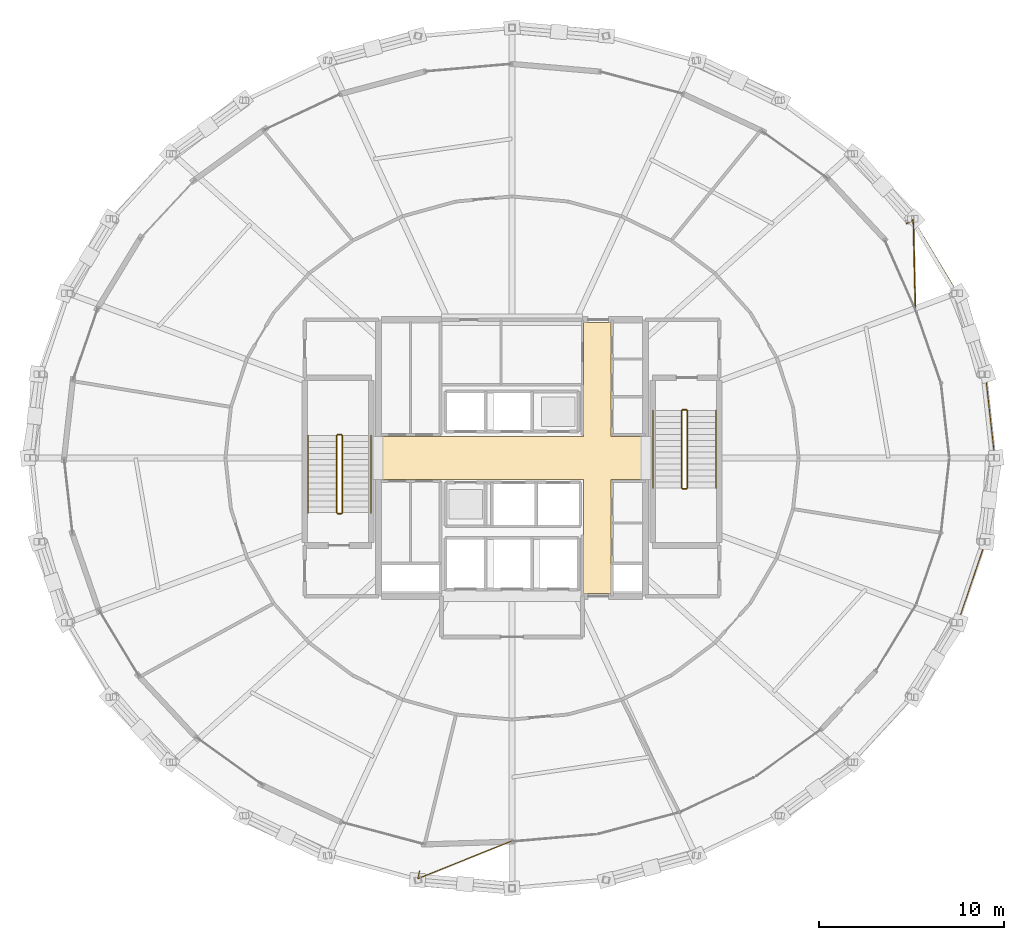
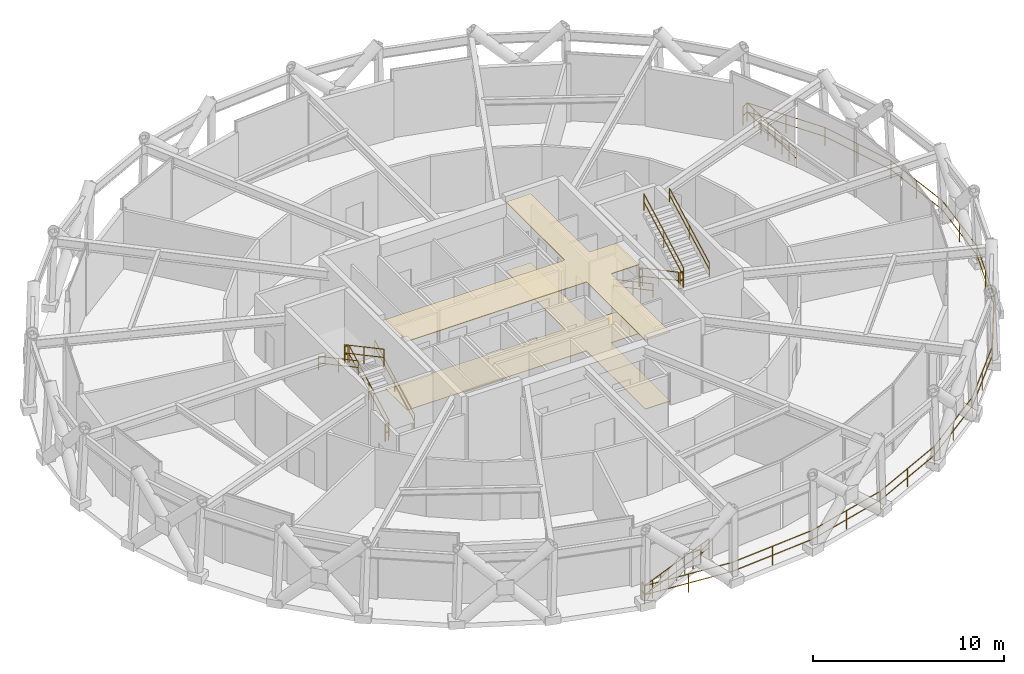
# One storey, part 28 of 29: 15 railings, 2 coverings.
"""IFC4 building model written with IfcOpenShell, lengths in metres."""

from ifc_helpers import new_model, si_unit, direction, frame, origin, origin_2d, place, context, subcontext, project, spatial, polyline, circle, outline, extrude, material, layer, layer_set, type_object, element, save


model = new_model("IFC4")

# Units and contexts
model_context = context("Model", 3, precision=1e-05, world=origin(), true_north=direction((0.0, 1.0)))
body_context = subcontext(model_context, "Body", "Model", "MODEL_VIEW")
ifc_project = project(units=[si_unit("LENGTHUNIT", "METRE"), si_unit("AREAUNIT", "SQUARE_METRE"), si_unit("VOLUMEUNIT", "CUBIC_METRE"), si_unit("PLANEANGLEUNIT", "RADIAN"), si_unit("MASSUNIT", "GRAM", prefix="KILO")], contexts=[model_context])

# Site, building, storey
site_placement = place(None, origin())
site = spatial("IfcSite", under=ifc_project, at=site_placement, CompositionType="ELEMENT")
building_placement = place(site_placement, origin())
building = spatial("IfcBuilding", under=site, at=building_placement, Name="Veldorina Hangang Commons", CompositionType="ELEMENT")
storey_placement = place(building_placement, frame((0.0, 0.0, 203.60009765625)))
storey = spatial("IfcBuildingStorey", under=building, at=storey_placement, Name="L53", CompositionType="ELEMENT", Elevation=203.60009765625)

# Coverings
ifc_material_1 = material(Name="Mineral Fibre Acoustic Tile", Category="gypsum")
ifc_layer_1 = layer(ifc_material_1, 0.0400390625)
ifc_layer_set_1 = layer_set([ifc_layer_1], Name="Mineral Fibre Acoustic Tile")
covering_type_1 = type_object("IfcCoveringType", Name="COV-CEIL-AC60", PredefinedType="CEILING", material=ifc_layer_set_1)
covering_1_placement = place(storey_placement, frame((0.0, 0.0, 4.39990234375)))
element("IfcCovering", 1, at=covering_1_placement, inside=storey, type_object=covering_type_1, Name="L53 lobby suspended acoustic ceiling", PredefinedType="CEILING", context=body_context, shape_type="SweptSolid", body=[
    extrude(outline(polyline([(25.0, 22.85009765625), (35.85009765625, 22.85009765625), (35.85009765625, 16.699951171875), (37.35009765625, 16.699951171875), (37.35009765625, 22.85009765625), (39.0, 22.85009765625), (39.0, 25.14990234375), (37.35009765625, 25.14990234375), (37.35009765625, 31.300048828125), (35.85009765625, 31.300048828125), (35.85009765625, 25.14990234375), (25.0, 25.14990234375), (25.0, 22.85009765625)])), origin(), (0.0, 0.0, 1.0), 0.0400390625),
])
ifc_material_2 = material(Name="Stone Venetian Terrazzo", Category="masonry")
ifc_layer_2 = layer(ifc_material_2, 0.030029296875)
ifc_layer_set_2 = layer_set([ifc_layer_2], Name="Stone Venetian Terrazzo")
covering_type_2 = type_object("IfcCoveringType", Name="COV-FLR-TERZ", PredefinedType="FLOORING", material=ifc_layer_set_2)
covering_2_placement = place(storey_placement, origin())
element("IfcCovering", 2, at=covering_2_placement, inside=storey, type_object=covering_type_2, Name="L53 lobby terrazzo floor finish", PredefinedType="FLOORING", context=body_context, shape_type="SweptSolid", body=[
    extrude(outline(polyline([(25.0, 22.85009765625), (35.85009765625, 22.85009765625), (35.85009765625, 16.699951171875), (37.35009765625, 16.699951171875), (37.35009765625, 22.85009765625), (39.0, 22.85009765625), (39.0, 25.14990234375), (37.35009765625, 25.14990234375), (37.35009765625, 31.300048828125), (35.85009765625, 31.300048828125), (35.85009765625, 25.14990234375), (25.0, 25.14990234375), (25.0, 22.85009765625)])), origin(), (0.0, 0.0, 1.0), 0.02978515625),
])

# Railings
ifc_material_3 = material(Name="Glass Laminated Safety Balustrade", Category="glass")
railing_type_1 = type_object("IfcRailingType", Name="RL-BAL-LOGGIA", PredefinedType="BALUSTRADE", material=ifc_material_3)
railing_1_placement = place(storey_placement, frame((27.01611328125, 1.730712890625, 0.0)))
element("IfcRailing", 3, at=railing_1_placement, inside=storey, type_object=railing_type_1, Name="L53 sky-garden loggia end balustrade A", PredefinedType="BALUSTRADE", context=body_context, shape_type="SweptSolid", body=[
    extrude(circle(Radius=0.02392578125, at=origin_2d()), frame((0.0, 0.0, 1.17578125), z_axis=(-0.217976620997, -0.975953991077, 0.0), x_axis=(0.975953991077, -0.217976620997, 0.0)), (0.0, 0.0, 1.0), 0.419921875),
    extrude(circle(Radius=0.02392578125, at=origin_2d()), frame((0.0, 0.0, 0.60009765625), z_axis=(-0.217976620997, -0.975953991077, 0.0), x_axis=(0.975953991077, -0.217976620997, 0.0)), (0.0, 0.0, 1.0), 0.419921875),
    extrude(circle(Radius=0.02392578125, at=origin_2d()), frame((-0.091552734375, -0.409912109375, 1.17578125), z_axis=(0.92810059205, 0.372329546284, 0.0), x_axis=(-0.372329546284, 0.92810059205, 0.0)), (0.0, 0.0, 1.0), 5.46875),
    extrude(circle(Radius=0.02392578125, at=origin_2d()), frame((-0.091552734375, -0.409912109375, 0.60009765625), z_axis=(0.92810059205, 0.372329546284, 0.0), x_axis=(-0.372329546284, 0.92810059205, 0.0)), (0.0, 0.0, 1.0), 5.46875),
    extrude(circle(Radius=0.02099609375, at=origin_2d()), origin(), (0.0, 0.0, 1.0), 1.15185546875),
    extrude(circle(Radius=0.02099609375, at=origin_2d()), frame((-0.091552734375, -0.409912109375, 0.0)), (0.0, 0.0, 1.0), 1.15185546875),
    extrude(circle(Radius=0.02099609375, at=origin_2d()), frame((0.54296875, -0.1552734375, 0.0)), (0.0, 0.0, 1.0), 1.15185546875),
    extrude(circle(Radius=0.02099609375, at=origin_2d()), frame((1.17724609375, 0.09912109375, 0.0)), (0.0, 0.0, 1.0), 1.15185546875),
    extrude(circle(Radius=0.02099609375, at=origin_2d()), frame((1.811767578125, 0.353515625, 0.0)), (0.0, 0.0, 1.0), 1.15185546875),
    extrude(circle(Radius=0.02099609375, at=origin_2d()), frame((2.4462890625, 0.608154296875, 0.0)), (0.0, 0.0, 1.0), 1.15185546875),
    extrude(circle(Radius=0.02099609375, at=origin_2d()), frame((3.08056640625, 0.86279296875, 0.0)), (0.0, 0.0, 1.0), 1.15185546875),
    extrude(circle(Radius=0.02099609375, at=origin_2d()), frame((3.715087890625, 1.1171875, 0.0)), (0.0, 0.0, 1.0), 1.15185546875),
    extrude(circle(Radius=0.02099609375, at=origin_2d()), frame((4.349365234375, 1.37158203125, 0.0)), (0.0, 0.0, 1.0), 1.15185546875),
    extrude(circle(Radius=0.02099609375, at=origin_2d()), frame((4.98388671875, 1.626220703125, 0.0)), (0.0, 0.0, 1.0), 1.15185546875),
])
railing_2_placement = place(storey_placement, frame((53.276611328125, 36.635498046875, 0.0)))
element("IfcRailing", 4, at=railing_2_placement, inside=storey, type_object=railing_type_1, Name="L53 sky-garden loggia end balustrade B", PredefinedType="BALUSTRADE", context=body_context, shape_type="SweptSolid", body=[
    extrude(circle(Radius=0.02392578125, at=origin_2d()), frame((0.0, 0.0, 1.17578125), z_axis=(0.859639381426, 0.510901295655, 0.0), x_axis=(-0.510901295655, 0.859639381426, 0.0)), (0.0, 0.0, 1.0), 0.419921875),
    extrude(circle(Radius=0.02392578125, at=origin_2d()), frame((0.0, 0.0, 0.60009765625), z_axis=(0.859639381426, 0.510901295655, 0.0), x_axis=(-0.510901295655, 0.859639381426, 0.0)), (0.0, 0.0, 1.0), 0.419921875),
    extrude(circle(Radius=0.02392578125, at=origin_2d()), frame((0.361083984375, 0.214599609375, 1.17578125), z_axis=(0.023328627198, -0.999727850544, 0.0), x_axis=(0.999727850544, 0.023328627198, 0.0)), (0.0, 0.0, 1.0), 4.9501953125),
    extrude(circle(Radius=0.02392578125, at=origin_2d()), frame((0.361083984375, 0.214599609375, 0.60009765625), z_axis=(0.023328627198, -0.999727850544, 0.0), x_axis=(0.999727850544, 0.023328627198, 0.0)), (0.0, 0.0, 1.0), 4.9501953125),
    extrude(circle(Radius=0.02099609375, at=origin_2d()), origin(), (0.0, 0.0, 1.0), 1.15185546875),
    extrude(circle(Radius=0.02099609375, at=origin_2d()), frame((0.361083984375, 0.214599609375, 0.0)), (0.0, 0.0, 1.0), 1.15185546875),
    extrude(circle(Radius=0.02099609375, at=origin_2d()), frame((0.377685546875, -0.492431640625, 0.0)), (0.0, 0.0, 1.0), 1.15185546875),
    extrude(circle(Radius=0.02099609375, at=origin_2d()), frame((0.39404296875, -1.19921875, 0.0)), (0.0, 0.0, 1.0), 1.15185546875),
    extrude(circle(Radius=0.02099609375, at=origin_2d()), frame((0.41064453125, -1.90625, 0.0)), (0.0, 0.0, 1.0), 1.15185546875),
    extrude(circle(Radius=0.02099609375, at=origin_2d()), frame((0.427001953125, -2.61328125, 0.0)), (0.0, 0.0, 1.0), 1.15185546875),
    extrude(circle(Radius=0.02099609375, at=origin_2d()), frame((0.443603515625, -3.3203125, 0.0)), (0.0, 0.0, 1.0), 1.15185546875),
    extrude(circle(Radius=0.02099609375, at=origin_2d()), frame((0.4599609375, -4.027099609375, 0.0)), (0.0, 0.0, 1.0), 1.15185546875),
    extrude(circle(Radius=0.02099609375, at=origin_2d()), frame((0.4765625, -4.734130859375, 0.0)), (0.0, 0.0, 1.0), 1.15185546875),
])
railing_3_placement = place(storey_placement, frame((26.924560546875, 1.32080078125, 0.0)))
element("IfcRailing", 5, at=railing_3_placement, inside=storey, type_object=railing_type_1, Name="L53 sky-garden loggia outer balustrade", PredefinedType="BALUSTRADE", context=body_context, shape_type="SweptSolid", body=[
    extrude(circle(Radius=0.02392578125, at=origin_2d()), frame((0.0, 0.0, 1.17578125), z_axis=(0.996198033411, -0.087117611465, 0.0), x_axis=(0.087117611465, 0.996198033411, 0.0)), (0.0, 0.0, 1.0), 5.0947265625),
    extrude(circle(Radius=0.02392578125, at=origin_2d()), frame((0.0, 0.0, 0.60009765625), z_axis=(0.996198033411, -0.087117611465, 0.0), x_axis=(0.087117611465, 0.996198033411, 0.0)), (0.0, 0.0, 1.0), 5.0947265625),
    extrude(circle(Radius=0.02392578125, at=origin_2d()), frame((5.075439453125, -0.44384765625, 1.17578125), z_axis=(0.996198033411, 0.087117611465, 0.0), x_axis=(-0.087117611465, 0.996198033411, 0.0)), (0.0, 0.0, 1.0), 5.0947265625),
    extrude(circle(Radius=0.02392578125, at=origin_2d()), frame((5.075439453125, -0.44384765625, 0.60009765625), z_axis=(0.996198033411, 0.087117611465, 0.0), x_axis=(-0.087117611465, 0.996198033411, 0.0)), (0.0, 0.0, 1.0), 5.0947265625),
    extrude(circle(Radius=0.02392578125, at=origin_2d()), frame((10.15087890625, 0.0, 1.17578125), z_axis=(0.965576111509, 0.260120689071, 0.0), x_axis=(-0.260120689071, 0.965576111509, 0.0)), (0.0, 0.0, 1.0), 5.05517578125),
    extrude(circle(Radius=0.02392578125, at=origin_2d()), frame((10.15087890625, 0.0, 0.60009765625), z_axis=(0.965576111509, 0.260120689071, 0.0), x_axis=(-0.260120689071, 0.965576111509, 0.0)), (0.0, 0.0, 1.0), 5.05517578125),
    extrude(circle(Radius=0.02392578125, at=origin_2d()), frame((15.031982421875, 1.31494140625, 1.17578125), z_axis=(0.903406177945, 0.428785817922, 0.0), x_axis=(-0.428785817922, 0.903406177945, 0.0)), (0.0, 0.0, 1.0), 4.980224609375),
    extrude(circle(Radius=0.02392578125, at=origin_2d()), frame((15.031982421875, 1.31494140625, 0.60009765625), z_axis=(0.903406177945, 0.428785817922, 0.0), x_axis=(-0.428785817922, 0.903406177945, 0.0)), (0.0, 0.0, 1.0), 4.980224609375),
    extrude(circle(Radius=0.02392578125, at=origin_2d()), frame((19.53125, 3.450439453125, 1.17578125), z_axis=(0.808119142221, 0.589019059094, 0.0), x_axis=(-0.589019059094, 0.808119142221, 0.0)), (0.0, 0.0, 1.0), 4.880615234375),
    extrude(circle(Radius=0.02392578125, at=origin_2d()), frame((19.53125, 3.450439453125, 0.60009765625), z_axis=(0.808119142221, 0.589019059094, 0.0), x_axis=(-0.589019059094, 0.808119142221, 0.0)), (0.0, 0.0, 1.0), 4.880615234375),
    extrude(circle(Radius=0.02392578125, at=origin_2d()), frame((23.475341796875, 6.3251953125, 1.17578125), z_axis=(0.678666836838, 0.734446270721, 0.0), x_axis=(-0.734446270721, 0.678666836838, 0.0)), (0.0, 0.0, 1.0), 4.770751953125),
    extrude(circle(Radius=0.02392578125, at=origin_2d()), frame((23.475341796875, 6.3251953125, 0.60009765625), z_axis=(0.678666836838, 0.734446270721, 0.0), x_axis=(-0.734446270721, 0.678666836838, 0.0)), (0.0, 0.0, 1.0), 4.770751953125),
    extrude(circle(Radius=0.02392578125, at=origin_2d()), frame((26.713134765625, 9.8291015625, 1.17578125), z_axis=(0.515603256689, 0.856827451528, 0.0), x_axis=(-0.856827451528, 0.515603256689, 0.0)), (0.0, 0.0, 1.0), 4.66650390625),
    extrude(circle(Radius=0.02392578125, at=origin_2d()), frame((26.713134765625, 9.8291015625, 0.60009765625), z_axis=(0.515603256689, 0.856827451528, 0.0), x_axis=(-0.856827451528, 0.515603256689, 0.0)), (0.0, 0.0, 1.0), 4.66650390625),
    extrude(circle(Radius=0.02392578125, at=origin_2d()), frame((29.119140625, 13.827392578125, 1.17578125), z_axis=(0.32319967957, 0.946330791598, 0.0), x_axis=(-0.946330791598, 0.32319967957, 0.0)), (0.0, 0.0, 1.0), 4.585205078125),
    extrude(circle(Radius=0.02392578125, at=origin_2d()), frame((29.119140625, 13.827392578125, 0.60009765625), z_axis=(0.32319967957, 0.946330791598, 0.0), x_axis=(-0.946330791598, 0.32319967957, 0.0)), (0.0, 0.0, 1.0), 4.585205078125),
    extrude(circle(Radius=0.02392578125, at=origin_2d()), frame((30.60107421875, 18.16650390625, 1.17578125), z_axis=(0.110230865616, 0.993906009774, 0.0), x_axis=(-0.993906009774, 0.110230865616, 0.0)), (0.0, 0.0, 1.0), 4.540283203125),
    extrude(circle(Radius=0.02392578125, at=origin_2d()), frame((30.60107421875, 18.16650390625, 0.60009765625), z_axis=(0.110230865616, 0.993906009774, 0.0), x_axis=(-0.993906009774, 0.110230865616, 0.0)), (0.0, 0.0, 1.0), 4.540283203125),
    extrude(circle(Radius=0.02392578125, at=origin_2d()), frame((31.1015625, 22.67919921875, 1.17578125), z_axis=(-0.110230865616, 0.993906009774, 0.0), x_axis=(-0.993906009774, -0.110230865616, 0.0)), (0.0, 0.0, 1.0), 4.540283203125),
    extrude(circle(Radius=0.02392578125, at=origin_2d()), frame((31.1015625, 22.67919921875, 0.60009765625), z_axis=(-0.110230865616, 0.993906009774, 0.0), x_axis=(-0.993906009774, -0.110230865616, 0.0)), (0.0, 0.0, 1.0), 4.540283203125),
    extrude(circle(Radius=0.02392578125, at=origin_2d()), frame((30.60107421875, 27.19189453125, 1.17578125), z_axis=(-0.32319967957, 0.946330791598, 0.0), x_axis=(-0.946330791598, -0.32319967957, 0.0)), (0.0, 0.0, 1.0), 4.585205078125),
    extrude(circle(Radius=0.02392578125, at=origin_2d()), frame((30.60107421875, 27.19189453125, 0.60009765625), z_axis=(-0.32319967957, 0.946330791598, 0.0), x_axis=(-0.946330791598, -0.32319967957, 0.0)), (0.0, 0.0, 1.0), 4.585205078125),
    extrude(circle(Radius=0.02392578125, at=origin_2d()), frame((29.119140625, 31.531005859375, 1.17578125), z_axis=(-0.515603256689, 0.856827451528, 0.0), x_axis=(-0.856827451528, -0.515603256689, 0.0)), (0.0, 0.0, 1.0), 4.66650390625),
    extrude(circle(Radius=0.02392578125, at=origin_2d()), frame((29.119140625, 31.531005859375, 0.60009765625), z_axis=(-0.515603256689, 0.856827451528, 0.0), x_axis=(-0.856827451528, -0.515603256689, 0.0)), (0.0, 0.0, 1.0), 4.66650390625),
    extrude(circle(Radius=0.02099609375, at=origin_2d()), origin(), (0.0, 0.0, 1.0), 1.15185546875),
    extrude(circle(Radius=0.02099609375, at=origin_2d()), frame((2.53759765625, -0.221923828125, 0.0)), (0.0, 0.0, 1.0), 1.15185546875),
    extrude(circle(Radius=0.02099609375, at=origin_2d()), frame((5.075439453125, -0.44384765625, 0.0)), (0.0, 0.0, 1.0), 1.15185546875),
    extrude(circle(Radius=0.02099609375, at=origin_2d()), frame((7.61328125, -0.221923828125, 0.0)), (0.0, 0.0, 1.0), 1.15185546875),
    extrude(circle(Radius=0.02099609375, at=origin_2d()), frame((10.15087890625, 0.0, 0.0)), (0.0, 0.0, 1.0), 1.15185546875),
    extrude(circle(Radius=0.02099609375, at=origin_2d()), frame((12.59130859375, 0.657470703125, 0.0)), (0.0, 0.0, 1.0), 1.15185546875),
    extrude(circle(Radius=0.02099609375, at=origin_2d()), frame((15.031982421875, 1.31494140625, 0.0)), (0.0, 0.0, 1.0), 1.15185546875),
    extrude(circle(Radius=0.02099609375, at=origin_2d()), frame((17.28173828125, 2.3828125, 0.0)), (0.0, 0.0, 1.0), 1.15185546875),
    extrude(circle(Radius=0.02099609375, at=origin_2d()), frame((19.53125, 3.450439453125, 0.0)), (0.0, 0.0, 1.0), 1.15185546875),
    extrude(circle(Radius=0.02099609375, at=origin_2d()), frame((21.50341796875, 4.8876953125, 0.0)), (0.0, 0.0, 1.0), 1.15185546875),
    extrude(circle(Radius=0.02099609375, at=origin_2d()), frame((23.475341796875, 6.3251953125, 0.0)), (0.0, 0.0, 1.0), 1.15185546875),
    extrude(circle(Radius=0.02099609375, at=origin_2d()), frame((25.09423828125, 8.0771484375, 0.0)), (0.0, 0.0, 1.0), 1.15185546875),
    extrude(circle(Radius=0.02099609375, at=origin_2d()), frame((26.713134765625, 9.8291015625, 0.0)), (0.0, 0.0, 1.0), 1.15185546875),
    extrude(circle(Radius=0.02099609375, at=origin_2d()), frame((27.916015625, 11.828125, 0.0)), (0.0, 0.0, 1.0), 1.15185546875),
    extrude(circle(Radius=0.02099609375, at=origin_2d()), frame((29.119140625, 13.827392578125, 0.0)), (0.0, 0.0, 1.0), 1.15185546875),
    extrude(circle(Radius=0.02099609375, at=origin_2d()), frame((29.860107421875, 15.9970703125, 0.0)), (0.0, 0.0, 1.0), 1.15185546875),
    extrude(circle(Radius=0.02099609375, at=origin_2d()), frame((30.60107421875, 18.16650390625, 0.0)), (0.0, 0.0, 1.0), 1.15185546875),
    extrude(circle(Radius=0.02099609375, at=origin_2d()), frame((30.851318359375, 20.4228515625, 0.0)), (0.0, 0.0, 1.0), 1.15185546875),
    extrude(circle(Radius=0.02099609375, at=origin_2d()), frame((31.1015625, 22.67919921875, 0.0)), (0.0, 0.0, 1.0), 1.15185546875),
    extrude(circle(Radius=0.02099609375, at=origin_2d()), frame((30.851318359375, 24.935546875, 0.0)), (0.0, 0.0, 1.0), 1.15185546875),
    extrude(circle(Radius=0.02099609375, at=origin_2d()), frame((30.60107421875, 27.19189453125, 0.0)), (0.0, 0.0, 1.0), 1.15185546875),
    extrude(circle(Radius=0.02099609375, at=origin_2d()), frame((29.860107421875, 29.361328125, 0.0)), (0.0, 0.0, 1.0), 1.15185546875),
    extrude(circle(Radius=0.02099609375, at=origin_2d()), frame((29.119140625, 31.531005859375, 0.0)), (0.0, 0.0, 1.0), 1.15185546875),
    extrude(circle(Radius=0.02099609375, at=origin_2d()), frame((27.916015625, 33.5302734375, 0.0)), (0.0, 0.0, 1.0), 1.15185546875),
    extrude(circle(Radius=0.02099609375, at=origin_2d()), frame((26.713134765625, 35.529296875, 0.0)), (0.0, 0.0, 1.0), 1.15185546875),
])
ifc_material_4 = material(Name="Steel Painted Balustrade", Category="steel")
railing_type_2 = type_object("IfcRailingType", Name="RL-GRD-STAIR", PredefinedType="GUARDRAIL", material=ifc_material_4)
railing_4_placement = place(storey_placement, frame((22.85009765625, 21.050048828125, 0.17138671875)))
element("IfcRailing", 6, at=railing_4_placement, inside=storey, type_object=railing_type_2, Name="L53 ST-1 stair guard 1", PredefinedType="GUARDRAIL", context=body_context, shape_type="SweptSolid", body=[
    extrude(circle(Radius=0.02392578125, at=origin_2d()), frame((0.0, 0.0, 1.076171875), z_axis=(0.0, 0.881480739103, 0.472219976908), x_axis=(-1.0, 0.0, 0.0)), (0.0, 0.0, 1.0), 4.71923828125),
    extrude(circle(Radius=0.02392578125, at=origin_2d()), frame((0.0, 0.0, 0.550048828125), z_axis=(0.0, 0.881480739103, 0.472219976908), x_axis=(-1.0, 0.0, 0.0)), (0.0, 0.0, 1.0), 4.71923828125),
    extrude(circle(Radius=0.02099609375, at=origin_2d()), origin(), (0.0, 0.0, 1.0), 1.052001953125),
    extrude(circle(Radius=0.02099609375, at=origin_2d()), frame((0.0, 2.080078125, 1.1142578125)), (0.0, 0.0, 1.0), 1.052001953125),
    extrude(circle(Radius=0.02099609375, at=origin_2d()), frame((0.0, 4.159912109375, 2.228515625)), (0.0, 0.0, 1.0), 1.052001953125),
])
railing_5_placement = place(storey_placement, frame((22.800048828125, 25.260009765625, 2.39990234375)))
element("IfcRailing", 7, at=railing_5_placement, inside=storey, type_object=railing_type_2, Name="L53 ST-1 stair guard 2", PredefinedType="GUARDRAIL", context=body_context, shape_type="SweptSolid", body=[
    extrude(circle(Radius=0.02392578125, at=origin_2d()), frame((0.0, 0.0, 1.076171875), z_axis=(-1.0, 0.0, 0.0), x_axis=(0.0, -1.0, 0.0)), (0.0, 0.0, 1.0), 0.199951171875),
    extrude(circle(Radius=0.02392578125, at=origin_2d()), frame((0.0, 0.0, 0.550048828125), z_axis=(-1.0, 0.0, 0.0), x_axis=(0.0, -1.0, 0.0)), (0.0, 0.0, 1.0), 0.199951171875),
    extrude(circle(Radius=0.02099609375, at=origin_2d()), origin(), (0.0, 0.0, 1.0), 1.052001953125),
    extrude(circle(Radius=0.02099609375, at=origin_2d()), frame((-0.199951171875, 0.0, 0.0)), (0.0, 0.0, 1.0), 1.052001953125),
])
railing_6_placement = place(storey_placement, frame((22.550048828125, 25.2099609375, 2.5712890625)))
element("IfcRailing", 8, at=railing_6_placement, inside=storey, type_object=railing_type_2, Name="L53 ST-1 stair guard 3", PredefinedType="GUARDRAIL", context=body_context, shape_type="SweptSolid", body=[
    extrude(circle(Radius=0.02392578125, at=origin_2d()), frame((0.0, 0.0, 1.076171875), z_axis=(0.0, -0.881480739103, 0.472219976908), x_axis=(1.0, 0.0, 0.0)), (0.0, 0.0, 1.0), 4.71923828125),
    extrude(circle(Radius=0.02392578125, at=origin_2d()), frame((0.0, 0.0, 0.550048828125), z_axis=(0.0, -0.881480739103, 0.472219976908), x_axis=(1.0, 0.0, 0.0)), (0.0, 0.0, 1.0), 4.71923828125),
    extrude(circle(Radius=0.02099609375, at=origin_2d()), origin(), (0.0, 0.0, 1.0), 1.052001953125),
    extrude(circle(Radius=0.02099609375, at=origin_2d()), frame((0.0, -2.080078125, 1.1142578125)), (0.0, 0.0, 1.0), 1.052001953125),
    extrude(circle(Radius=0.02099609375, at=origin_2d()), frame((0.0, -4.159912109375, 2.228515625)), (0.0, 0.0, 1.0), 1.052001953125),
])
railing_7_placement = place(storey_placement, frame((22.800048828125, 21.0, 0.0)))
element("IfcRailing", 9, at=railing_7_placement, inside=storey, type_object=railing_type_2, Name="L53 ST-1 stair guard 4", PredefinedType="GUARDRAIL", context=body_context, shape_type="SweptSolid", body=[
    extrude(circle(Radius=0.02392578125, at=origin_2d()), frame((0.0, 0.0, 1.076171875), z_axis=(-1.0, 0.0, 0.0), x_axis=(0.0, -1.0, 0.0)), (0.0, 0.0, 1.0), 0.199951171875),
    extrude(circle(Radius=0.02392578125, at=origin_2d()), frame((0.0, 0.0, 0.550048828125), z_axis=(-1.0, 0.0, 0.0), x_axis=(0.0, -1.0, 0.0)), (0.0, 0.0, 1.0), 0.199951171875),
    extrude(circle(Radius=0.02099609375, at=origin_2d()), origin(), (0.0, 0.0, 1.0), 1.052001953125),
    extrude(circle(Radius=0.02099609375, at=origin_2d()), frame((-0.199951171875, 0.0, 0.0)), (0.0, 0.0, 1.0), 1.052001953125),
])
railing_8_placement = place(storey_placement, frame((41.14990234375, 26.550048828125, 0.17138671875)))
element("IfcRailing", 10, at=railing_8_placement, inside=storey, type_object=railing_type_2, Name="L53 ST-2 stair guard 1", PredefinedType="GUARDRAIL", context=body_context, shape_type="SweptSolid", body=[
    extrude(circle(Radius=0.02392578125, at=origin_2d()), frame((0.0, 0.0, 1.076171875), z_axis=(0.0, -0.881492274372, 0.472198443689), x_axis=(1.0, 0.0, 0.0)), (0.0, 0.0, 1.0), 4.719482421875),
    extrude(circle(Radius=0.02392578125, at=origin_2d()), frame((0.0, 0.0, 0.550048828125), z_axis=(0.0, -0.881492274372, 0.472198443689), x_axis=(1.0, 0.0, 0.0)), (0.0, 0.0, 1.0), 4.719482421875),
    extrude(circle(Radius=0.02099609375, at=origin_2d()), origin(), (0.0, 0.0, 1.0), 1.052001953125),
    extrude(circle(Radius=0.02099609375, at=origin_2d()), frame((0.0, -2.080078125, 1.1142578125)), (0.0, 0.0, 1.0), 1.052001953125),
    extrude(circle(Radius=0.02099609375, at=origin_2d()), frame((0.0, -4.16015625, 2.228515625)), (0.0, 0.0, 1.0), 1.052001953125),
])
railing_9_placement = place(storey_placement, frame((41.199951171875, 22.340087890625, 2.39990234375)))
element("IfcRailing", 11, at=railing_9_placement, inside=storey, type_object=railing_type_2, Name="L53 ST-2 stair guard 2", PredefinedType="GUARDRAIL", context=body_context, shape_type="SweptSolid", body=[
    extrude(circle(Radius=0.02392578125, at=origin_2d()), frame((0.0, 0.0, 1.076171875), z_axis=(1.0, 0.0, 0.0), x_axis=(0.0, 1.0, 0.0)), (0.0, 0.0, 1.0), 0.199951171875),
    extrude(circle(Radius=0.02392578125, at=origin_2d()), frame((0.0, 0.0, 0.550048828125), z_axis=(1.0, 0.0, 0.0), x_axis=(0.0, 1.0, 0.0)), (0.0, 0.0, 1.0), 0.199951171875),
    extrude(circle(Radius=0.02099609375, at=origin_2d()), origin(), (0.0, 0.0, 1.0), 1.052001953125),
    extrude(circle(Radius=0.02099609375, at=origin_2d()), frame((0.199951171875, 0.0, 0.0)), (0.0, 0.0, 1.0), 1.052001953125),
])
railing_10_placement = place(storey_placement, frame((41.449951171875, 22.389892578125, 2.5712890625)))
element("IfcRailing", 12, at=railing_10_placement, inside=storey, type_object=railing_type_2, Name="L53 ST-2 stair guard 3", PredefinedType="GUARDRAIL", context=body_context, shape_type="SweptSolid", body=[
    extrude(circle(Radius=0.02392578125, at=origin_2d()), frame((0.0, 0.0, 1.076171875), z_axis=(0.0, 0.881492274372, 0.472198443689), x_axis=(-1.0, 0.0, 0.0)), (0.0, 0.0, 1.0), 4.719482421875),
    extrude(circle(Radius=0.02392578125, at=origin_2d()), frame((0.0, 0.0, 0.550048828125), z_axis=(0.0, 0.881492274372, 0.472198443689), x_axis=(-1.0, 0.0, 0.0)), (0.0, 0.0, 1.0), 4.719482421875),
    extrude(circle(Radius=0.02099609375, at=origin_2d()), origin(), (0.0, 0.0, 1.0), 1.052001953125),
    extrude(circle(Radius=0.02099609375, at=origin_2d()), frame((0.0, 2.080078125, 1.1142578125)), (0.0, 0.0, 1.0), 1.052001953125),
    extrude(circle(Radius=0.02099609375, at=origin_2d()), frame((0.0, 4.16015625, 2.228515625)), (0.0, 0.0, 1.0), 1.052001953125),
])
railing_11_placement = place(storey_placement, frame((41.199951171875, 26.60009765625, 0.0)))
element("IfcRailing", 13, at=railing_11_placement, inside=storey, type_object=railing_type_2, Name="L53 ST-2 stair guard 4", PredefinedType="GUARDRAIL", context=body_context, shape_type="SweptSolid", body=[
    extrude(circle(Radius=0.02392578125, at=origin_2d()), frame((0.0, 0.0, 1.076171875), z_axis=(1.0, 0.0, 0.0), x_axis=(0.0, 1.0, 0.0)), (0.0, 0.0, 1.0), 0.199951171875),
    extrude(circle(Radius=0.02392578125, at=origin_2d()), frame((0.0, 0.0, 0.550048828125), z_axis=(1.0, 0.0, 0.0), x_axis=(0.0, 1.0, 0.0)), (0.0, 0.0, 1.0), 0.199951171875),
    extrude(circle(Radius=0.02099609375, at=origin_2d()), origin(), (0.0, 0.0, 1.0), 1.052001953125),
    extrude(circle(Radius=0.02099609375, at=origin_2d()), frame((0.199951171875, 0.0, 0.0)), (0.0, 0.0, 1.0), 1.052001953125),
])
ifc_material_5 = material(Name="Stainless Steel Brushed 316", Category="steel")
railing_type_3 = type_object("IfcRailingType", Name="RL-HND-STAIR", PredefinedType="HANDRAIL", material=ifc_material_5)
railing_12_placement = place(storey_placement, frame((24.39990234375, 21.050048828125, 0.17138671875)))
element("IfcRailing", 14, at=railing_12_placement, inside=storey, type_object=railing_type_3, Name="L53 ST-1 stair handrail 1", PredefinedType="HANDRAIL", context=body_context, shape_type="SweptSolid", body=[
    extrude(circle(Radius=0.02392578125, at=origin_2d()), frame((0.0, 0.0, 0.8759765625), z_axis=(0.0, 0.881480739103, 0.472219976908), x_axis=(-1.0, 0.0, 0.0)), (0.0, 0.0, 1.0), 4.71923828125),
    extrude(circle(Radius=0.02392578125, at=origin_2d()), frame((0.0, 0.0, 0.449951171875), z_axis=(0.0, 0.881480739103, 0.472219976908), x_axis=(-1.0, 0.0, 0.0)), (0.0, 0.0, 1.0), 4.71923828125),
    extrude(circle(Radius=0.02099609375, at=origin_2d()), origin(), (0.0, 0.0, 1.0), 0.851806640625),
    extrude(circle(Radius=0.02099609375, at=origin_2d()), frame((0.0, 2.080078125, 1.1142578125)), (0.0, 0.0, 1.0), 0.851806640625),
    extrude(circle(Radius=0.02099609375, at=origin_2d()), frame((0.0, 4.159912109375, 2.228515625)), (0.0, 0.0, 1.0), 0.851806640625),
])
railing_13_placement = place(storey_placement, frame((21.0, 25.2099609375, 2.5712890625)))
element("IfcRailing", 15, at=railing_13_placement, inside=storey, type_object=railing_type_3, Name="L53 ST-1 stair handrail 2", PredefinedType="HANDRAIL", context=body_context, shape_type="SweptSolid", body=[
    extrude(circle(Radius=0.02392578125, at=origin_2d()), frame((0.0, 0.0, 0.8759765625), z_axis=(0.0, -0.881480739103, 0.472219976908), x_axis=(1.0, 0.0, 0.0)), (0.0, 0.0, 1.0), 4.71923828125),
    extrude(circle(Radius=0.02392578125, at=origin_2d()), frame((0.0, 0.0, 0.449951171875), z_axis=(0.0, -0.881480739103, 0.472219976908), x_axis=(1.0, 0.0, 0.0)), (0.0, 0.0, 1.0), 4.71923828125),
    extrude(circle(Radius=0.02099609375, at=origin_2d()), origin(), (0.0, 0.0, 1.0), 0.851806640625),
    extrude(circle(Radius=0.02099609375, at=origin_2d()), frame((0.0, -2.080078125, 1.1142578125)), (0.0, 0.0, 1.0), 0.851806640625),
    extrude(circle(Radius=0.02099609375, at=origin_2d()), frame((0.0, -4.159912109375, 2.228515625)), (0.0, 0.0, 1.0), 0.851806640625),
])
railing_14_placement = place(storey_placement, frame((39.60009765625, 26.550048828125, 0.17138671875)))
element("IfcRailing", 16, at=railing_14_placement, inside=storey, type_object=railing_type_3, Name="L53 ST-2 stair handrail 1", PredefinedType="HANDRAIL", context=body_context, shape_type="SweptSolid", body=[
    extrude(circle(Radius=0.02392578125, at=origin_2d()), frame((0.0, 0.0, 0.8759765625), z_axis=(0.0, -0.881492274372, 0.472198443689), x_axis=(1.0, 0.0, 0.0)), (0.0, 0.0, 1.0), 4.719482421875),
    extrude(circle(Radius=0.02392578125, at=origin_2d()), frame((0.0, 0.0, 0.449951171875), z_axis=(0.0, -0.881492274372, 0.472198443689), x_axis=(1.0, 0.0, 0.0)), (0.0, 0.0, 1.0), 4.719482421875),
    extrude(circle(Radius=0.02099609375, at=origin_2d()), origin(), (0.0, 0.0, 1.0), 0.851806640625),
    extrude(circle(Radius=0.02099609375, at=origin_2d()), frame((0.0, -2.080078125, 1.1142578125)), (0.0, 0.0, 1.0), 0.851806640625),
    extrude(circle(Radius=0.02099609375, at=origin_2d()), frame((0.0, -4.16015625, 2.228515625)), (0.0, 0.0, 1.0), 0.851806640625),
])
railing_15_placement = place(storey_placement, frame((43.0, 22.389892578125, 2.5712890625)))
element("IfcRailing", 17, at=railing_15_placement, inside=storey, type_object=railing_type_3, Name="L53 ST-2 stair handrail 2", PredefinedType="HANDRAIL", context=body_context, shape_type="SweptSolid", body=[
    extrude(circle(Radius=0.02392578125, at=origin_2d()), frame((0.0, 0.0, 0.8759765625), z_axis=(0.0, 0.881492274372, 0.472198443689), x_axis=(-1.0, 0.0, 0.0)), (0.0, 0.0, 1.0), 4.719482421875),
    extrude(circle(Radius=0.02392578125, at=origin_2d()), frame((0.0, 0.0, 0.449951171875), z_axis=(0.0, 0.881492274372, 0.472198443689), x_axis=(-1.0, 0.0, 0.0)), (0.0, 0.0, 1.0), 4.719482421875),
    extrude(circle(Radius=0.02099609375, at=origin_2d()), origin(), (0.0, 0.0, 1.0), 0.851806640625),
    extrude(circle(Radius=0.02099609375, at=origin_2d()), frame((0.0, 2.080078125, 1.1142578125)), (0.0, 0.0, 1.0), 0.851806640625),
    extrude(circle(Radius=0.02099609375, at=origin_2d()), frame((0.0, 4.16015625, 2.228515625)), (0.0, 0.0, 1.0), 0.851806640625),
])

save(model, "model.ifc")
